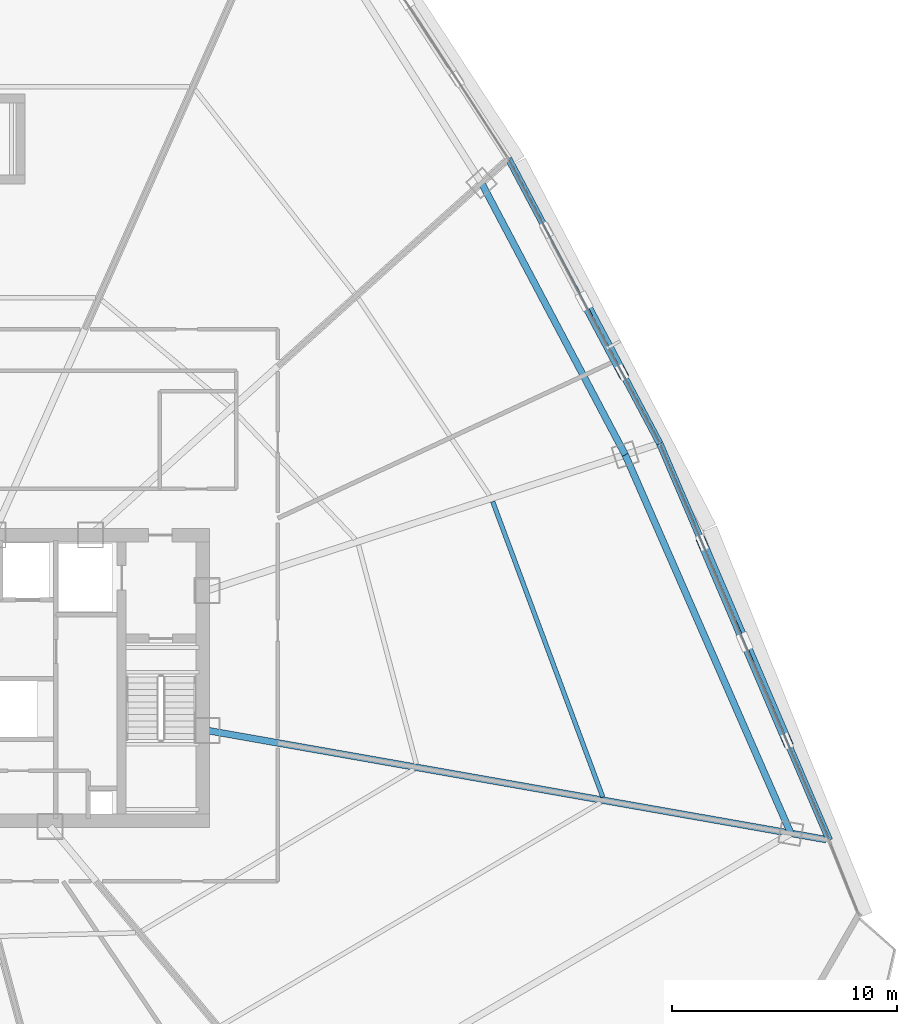
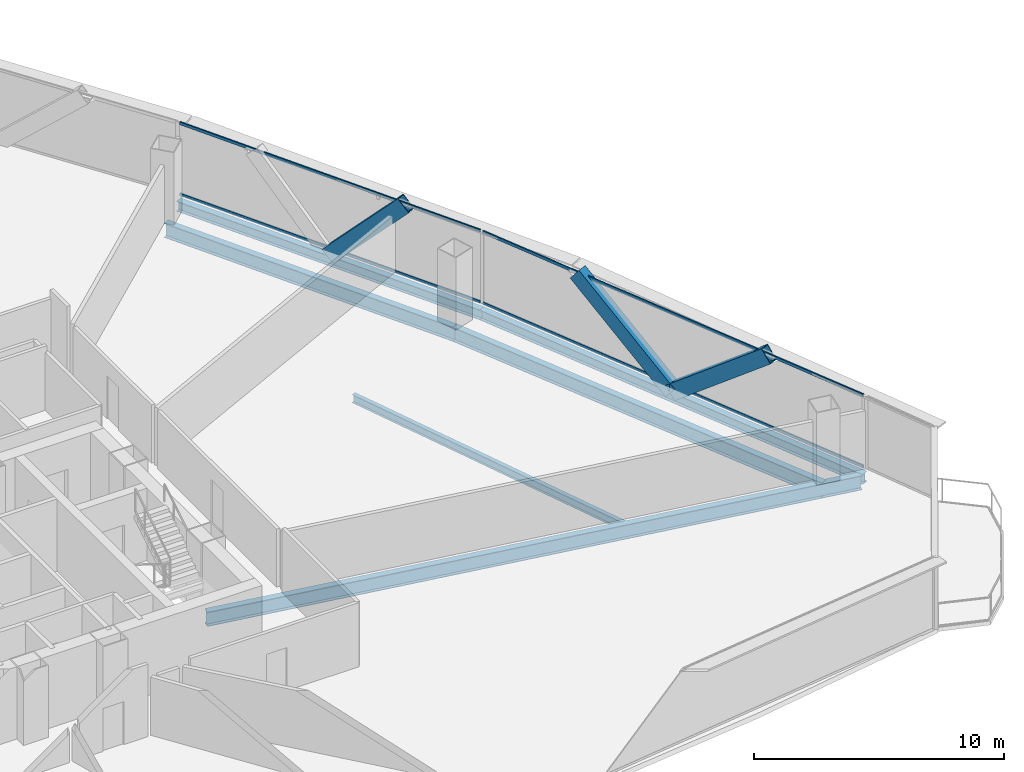
# One storey, part 23 of 36: 7 members, 6 beams, 2 elements without a shape of their own.
"""IFC4 building model written with IfcOpenShell, lengths in metres."""

from ifc_helpers import new_model, si_unit, direction, frame, origin, origin_2d, place, context, subcontext, project, spatial, hollow_rectangle, i_section, extrude, source, transform, mapped, material, layer, layer_set, material_profile, profile_set, type_object, element, aggregate, save


model = new_model("IFC4")

# Units and contexts
model_context = context("Model", 3, precision=1e-05, world=origin(), true_north=direction((0.0, 1.0)))
body_context = subcontext(model_context, "Body", "Model", "MODEL_VIEW")
ifc_project = project(units=[si_unit("LENGTHUNIT", "METRE"), si_unit("AREAUNIT", "SQUARE_METRE"), si_unit("VOLUMEUNIT", "CUBIC_METRE"), si_unit("PLANEANGLEUNIT", "RADIAN"), si_unit("MASSUNIT", "GRAM", prefix="KILO"), si_unit("THERMODYNAMICTEMPERATUREUNIT", "KELVIN"), si_unit("POWERUNIT", "WATT")], contexts=[model_context])

# Site, building, storey
site_placement = place(None, origin())
site = spatial("IfcSite", under=ifc_project, at=site_placement, CompositionType="ELEMENT")
building_placement = place(site_placement, origin())
building = spatial("IfcBuilding", under=site, at=building_placement, Name="Yunzhuo Pagoda Commons", CompositionType="ELEMENT")
storey_placement = place(building_placement, frame((0.0, 0.0, 103.97998046875)))
storey = spatial("IfcBuildingStorey", under=building, at=storey_placement, Name="L26", CompositionType="ELEMENT", Elevation=103.97998046875)

# Beams
ifc_material_1 = material(Name="Structural steel Q355B", Category="steel")
ifc_material_profile_1 = material_profile(ifc_material_1, i_section(OverallWidth=0.300048828125, OverallDepth=0.699951171875, WebThickness=0.012939453125, FlangeThickness=0.02392578125, at=origin_2d()), Name="Structural steel Q355B")
ifc_profile_set_1 = profile_set([ifc_material_profile_1], Name="Structural steel Q355B")
beam_type_1 = type_object("IfcBeamType", Name="B-RG1 Beam HN 700x300x13x24", PredefinedType="BEAM", material=ifc_profile_set_1)
shared_shape_1 = source(origin(), body_context, "Body", "SweptSolid", [
    extrude(i_section(OverallWidth=0.300048828125, OverallDepth=0.699951171875, WebThickness=0.012939453125, FlangeThickness=0.02392578125, at=origin_2d()), origin(), (0.0, 0.0, 1.0), 18.37158203125),
])
beam_1_placement = place(storey_placement, frame((86.352783203125, 26.9375, -0.60986328125), z_axis=(-0.400729599795, 0.916196369698, 0.0), x_axis=(-0.916196369698, -0.400729599795, 0.0)))
element("IfcBeam", 1, at=beam_1_placement, inside=storey, type_object=beam_type_1, Name="L26 column-ring beam 5", PredefinedType="BEAM", context=body_context, shape_type="MappedRepresentation", body=[
    mapped(shared_shape_1, transform((0.0, 0.0, 0.0), scale=1.0)),
])
shared_shape_2 = source(origin(), body_context, "Body", "SweptSolid", [
    extrude(i_section(OverallWidth=0.300048828125, OverallDepth=0.699951171875, WebThickness=0.012939453125, FlangeThickness=0.02392578125, at=origin_2d()), origin(), (0.0, 0.0, 1.0), 13.66748046875),
])
beam_2_placement = place(storey_placement, frame((78.99072265625, 43.76953125, -0.60986328125), z_axis=(-0.467383716456, 0.88405455804, 0.0), x_axis=(-0.88405455804, -0.467383716456, 0.0)))
element("IfcBeam", 2, at=beam_2_placement, inside=storey, type_object=beam_type_1, Name="L26 column-ring beam 6", PredefinedType="BEAM", context=body_context, shape_type="MappedRepresentation", body=[
    mapped(shared_shape_2, transform((0.0, 0.0, 0.0), scale=1.0)),
])
ifc_material_profile_2 = material_profile(ifc_material_1, i_section(OverallWidth=0.199951171875, OverallDepth=0.39990234375, WebThickness=0.008056640625, FlangeThickness=0.012939453125, at=origin_2d()), Name="Structural steel Q355B")
ifc_profile_set_2 = profile_set([ifc_material_profile_2], Name="Structural steel Q355B")
beam_type_2 = type_object("IfcBeamType", Name="B-JS1 Joist HN 400x200x8x13", PredefinedType="JOIST", material=ifc_profile_set_2)
shared_shape_3 = source(origin(), body_context, "Body", "SweptSolid", [
    extrude(i_section(OverallWidth=0.199951171875, OverallDepth=0.39990234375, WebThickness=0.008056640625, FlangeThickness=0.012939453125, at=origin_2d()), origin(), (0.0, 0.0, 1.0), 14.01904296875),
])
beam_3_placement = place(storey_placement, frame((77.992431640625, 28.55078125, -0.459716796875), z_axis=(-0.349168392993, 0.937059994523, 0.0), x_axis=(-0.937059994523, -0.349168392993, 0.0)))
element("IfcBeam", 3, at=beam_3_placement, inside=storey, type_object=beam_type_2, Name="L26 composite ring joist 2.5", PredefinedType="JOIST", context=body_context, shape_type="MappedRepresentation", body=[
    mapped(shared_shape_3, transform((0.0, 0.0, 0.0), scale=1.0)),
])
shared_shape_4 = source(origin(), body_context, "Body", "SweptSolid", [
    extrude(i_section(OverallWidth=0.300048828125, OverallDepth=0.699951171875, WebThickness=0.012939453125, FlangeThickness=0.02392578125, at=origin_2d()), origin(), (0.0, 0.0, 1.0), 27.9365234375),
])
beam_4_placement = place(storey_placement, frame((87.912109375, 26.66259765625, -0.60986328125), z_axis=(-0.984809677022, 0.173637265709, 0.0), x_axis=(-0.173637265709, -0.984809677022, 0.0)))
element("IfcBeam", 4, at=beam_4_placement, inside=storey, type_object=beam_type_1, Name="L26 radial floor girder F2C1", PredefinedType="BEAM", context=body_context, shape_type="MappedRepresentation", body=[
    mapped(shared_shape_4, transform((0.0, 0.0, 0.0), scale=1.0)),
])
ifc_material_profile_3 = material_profile(ifc_material_1, i_section(OverallWidth=0.300048828125, OverallDepth=0.488037109375, WebThickness=0.010986328125, FlangeThickness=0.01806640625, at=origin_2d()), Name="Structural steel Q355B")
ifc_profile_set_3 = profile_set([ifc_material_profile_3], Name="Structural steel Q355B")
beam_type_3 = type_object("IfcBeamType", Name="B-SP1 Beam HM 488x300x11x18", PredefinedType="BEAM", material=ifc_profile_set_3)
shared_shape_5 = source(origin(), body_context, "Body", "SweptSolid", [
    extrude(i_section(OverallWidth=0.300048828125, OverallDepth=0.488037109375, WebThickness=0.010986328125, FlangeThickness=0.01806640625, at=origin_2d()), origin(), (0.0, 0.0, 1.0), 19.1767578125),
])
beam_5_placement = place(storey_placement, frame((88.064697265625, 26.635498046875, -0.50390625), z_axis=(-0.39305868206, 0.91951338895, 0.0), x_axis=(-0.91951338895, -0.39305868206, 0.0)))
element("IfcBeam", 5, at=beam_5_placement, inside=storey, type_object=beam_type_3, Name="L26 facade edge spandrel beam F2.1", PredefinedType="BEAM", context=body_context, shape_type="MappedRepresentation", body=[
    mapped(shared_shape_5, transform((0.0, 0.0, 0.0), scale=1.0)),
])
shared_shape_6 = source(origin(), body_context, "Body", "SweptSolid", [
    extrude(i_section(OverallWidth=0.300048828125, OverallDepth=0.488037109375, WebThickness=0.010986328125, FlangeThickness=0.01806640625, at=origin_2d()), origin(), (0.0, 0.0, 1.0), 14.338134765625),
])
beam_6_placement = place(storey_placement, frame((80.527099609375, 44.268798828125, -0.50390625), z_axis=(-0.469070981611, 0.883160469117, 0.0), x_axis=(-0.883160469117, -0.469070981611, 0.0)))
element("IfcBeam", 6, at=beam_6_placement, inside=storey, type_object=beam_type_3, Name="L26 facade edge spandrel beam F2.2", PredefinedType="BEAM", context=body_context, shape_type="MappedRepresentation", body=[
    mapped(shared_shape_6, transform((0.0, 0.0, 0.0), scale=1.0)),
])

# Members
ifc_material_2 = material(Name="Structural steel Q420B", Category="steel")
ifc_material_profile_4 = material_profile(ifc_material_2, hollow_rectangle(XDim=0.419921875, YDim=0.719970703125, WallThickness=0.028076171875, at=origin_2d()), Name="Structural steel Q420B")
ifc_profile_set_4 = profile_set([ifc_material_profile_4], Name="Structural steel Q420B")
member_type_1 = type_object("IfcMemberType", Name="M-DL1 Brace BOX 720x420x28", PredefinedType="BRACE", material=ifc_profile_set_4)
shared_shape_7 = source(origin(), body_context, "Body", "SweptSolid", [
    extrude(hollow_rectangle(XDim=0.419921875, YDim=0.719970703125, WallThickness=0.028076171875, at=origin_2d()), origin(), (0.0, 0.0, 1.0), 6.117919921875),
])
member_1_placement = place(storey_placement, frame((84.2958984375, 35.4521484375, -0.260009765625), z_axis=(0.308036700249, -0.720587990206, 0.62118140641), x_axis=(0.919508120229, 0.393071007368, 0.0)))
element("IfcMember", 7, at=member_1_placement, inside=storey, type_object=member_type_1, Name="L26 facade diamond brace F2.1L", PredefinedType="BRACE", context=body_context, shape_type="MappedRepresentation", body=[
    mapped(shared_shape_7, transform((0.0, 0.0, 0.0), scale=1.0)),
])
shared_shape_8 = source(origin(), body_context, "Body", "SweptSolid", [
    extrude(hollow_rectangle(XDim=0.419921875, YDim=0.719970703125, WallThickness=0.028076171875, at=origin_2d()), origin(), (0.0, 0.0, 1.0), 6.11767578125),
])
member_2_placement = place(storey_placement, frame((84.2958984375, 35.4521484375, -0.260009765625), z_axis=(-0.308009437079, 0.720577662075, 0.621206905619), x_axis=(-0.919518657857, -0.393046355856, 0.0)))
element("IfcMember", 8, at=member_2_placement, inside=storey, type_object=member_type_1, Name="L26 facade diamond brace F2.1R", PredefinedType="BRACE", context=body_context, shape_type="MappedRepresentation", body=[
    mapped(shared_shape_8, transform((0.0, 0.0, 0.0), scale=1.0)),
])
shared_shape_9 = source(origin(), body_context, "Body", "SweptSolid", [
    extrude(hollow_rectangle(XDim=0.419921875, YDim=0.719970703125, WallThickness=0.028076171875, at=origin_2d()), origin(), (0.0, 0.0, 1.0), 5.22412109375),
])
member_3_placement = place(storey_placement, frame((77.164306640625, 50.60009765625, -0.260009765625), z_axis=(0.321852576358, -0.605991339864, 0.727451314592), x_axis=(0.883164215531, 0.469063927845, 0.0)))
element("IfcMember", 9, at=member_3_placement, inside=storey, type_object=member_type_1, Name="L26 facade diamond brace F2.2L", PredefinedType="BRACE", context=body_context, shape_type="MappedRepresentation", body=[
    mapped(shared_shape_9, transform((0.0, 0.0, 0.0), scale=1.0)),
])

# Curtain wall, members
ifc_material_3 = material(Name="Anodized aluminium 6063-T6", Category="aluminium")
ifc_layer = layer(ifc_material_3, 0.1650390625)
ifc_layer_set = layer_set([ifc_layer], Name="Anodized aluminium 6063-T6")
curtain_wall_type = type_object("IfcCurtainWallType", Name="CW-LOW Low-Zone Ribbon Curtain Wall", PredefinedType="NOTDEFINED", material=ifc_layer_set)
curtain_wall_1_placement = place(storey_placement, origin())
curtain_wall_1 = element("IfcCurtainWall", 10, at=curtain_wall_1_placement, inside=storey, type_object=curtain_wall_type, Name="L26 curtain wall CW-L26-F2B2", PredefinedType="NOTDEFINED")
ifc_material_profile_5 = material_profile(ifc_material_3, hollow_rectangle(XDim=0.06005859375, YDim=0.139892578125, WallThickness=0.00341796875, at=origin_2d()), Name="Anodized aluminium 6063-T6")
ifc_profile_set_5 = profile_set([ifc_material_profile_5], Name="Anodized aluminium 6063-T6")
member_type_2 = type_object("IfcMemberType", Name="CW-LOW-T Transom RHS 140x60x3.5", PredefinedType="USERDEFINED", material=ifc_profile_set_5)
shared_shape_10 = source(origin(), body_context, "Body", "SweptSolid", [
    extrude(hollow_rectangle(XDim=0.06005859375, YDim=0.139892578125, WallThickness=0.00341796875, at=origin_2d()), origin(), (0.0, 0.0, 1.0), 19.04638671875),
])
member_4_placement = place(storey_placement, frame((88.039306640625, 26.695556640625, 0.030029296875), z_axis=(-0.393068270489, 0.919509290184, 0.0), x_axis=(-0.919509290184, -0.393068270489, 0.0)))
member_4 = element("IfcMember", 11, at=member_4_placement, type_object=member_type_2, Name="CW transom 1.1", ObjectType="TRANSOM", PredefinedType="USERDEFINED", context=body_context, shape_type="MappedRepresentation", body=[
    mapped(shared_shape_10, transform((0.0, 0.0, 0.0), scale=1.0)),
])
member_5_placement = place(storey_placement, frame((88.039306640625, 26.695556640625, 3.510009765625), z_axis=(-0.393068270489, 0.919509290184, 0.0), x_axis=(-0.919509290184, -0.393068270489, 0.0)))
member_5 = element("IfcMember", 12, at=member_5_placement, type_object=member_type_2, Name="CW transom 1.2", ObjectType="TRANSOM", PredefinedType="USERDEFINED", context=body_context, shape_type="MappedRepresentation", body=[
    mapped(shared_shape_10, transform((0.0, 0.0, 0.0), scale=1.0)),
])
aggregate(curtain_wall_1, [member_4, member_5])

curtain_wall_2_placement = place(storey_placement, origin())
curtain_wall_2 = element("IfcCurtainWall", 13, at=curtain_wall_2_placement, inside=storey, type_object=curtain_wall_type, Name="L26 curtain wall CW-L26-F2B3", PredefinedType="NOTDEFINED")
shared_shape_11 = source(origin(), body_context, "Body", "SweptSolid", [
    extrude(hollow_rectangle(XDim=0.06005859375, YDim=0.139892578125, WallThickness=0.00341796875, at=origin_2d()), origin(), (0.0, 0.0, 1.0), 14.208251953125),
])
member_6_placement = place(storey_placement, frame((80.496826171875, 44.326171875, 0.030029296875), z_axis=(-0.469092827222, 0.883148865961, 0.0), x_axis=(-0.883148865961, -0.469092827222, 0.0)))
member_6 = element("IfcMember", 14, at=member_6_placement, type_object=member_type_2, Name="CW transom 1.1", ObjectType="TRANSOM", PredefinedType="USERDEFINED", context=body_context, shape_type="MappedRepresentation", body=[
    mapped(shared_shape_11, transform((0.0, 0.0, 0.0), scale=1.0)),
])
member_7_placement = place(storey_placement, frame((80.496826171875, 44.326171875, 3.510009765625), z_axis=(-0.469092827222, 0.883148865961, 0.0), x_axis=(-0.883148865961, -0.469092827222, 0.0)))
member_7 = element("IfcMember", 15, at=member_7_placement, type_object=member_type_2, Name="CW transom 1.2", ObjectType="TRANSOM", PredefinedType="USERDEFINED", context=body_context, shape_type="MappedRepresentation", body=[
    mapped(shared_shape_11, transform((0.0, 0.0, 0.0), scale=1.0)),
])
aggregate(curtain_wall_2, [member_6, member_7])

save(model, "model.ifc")
